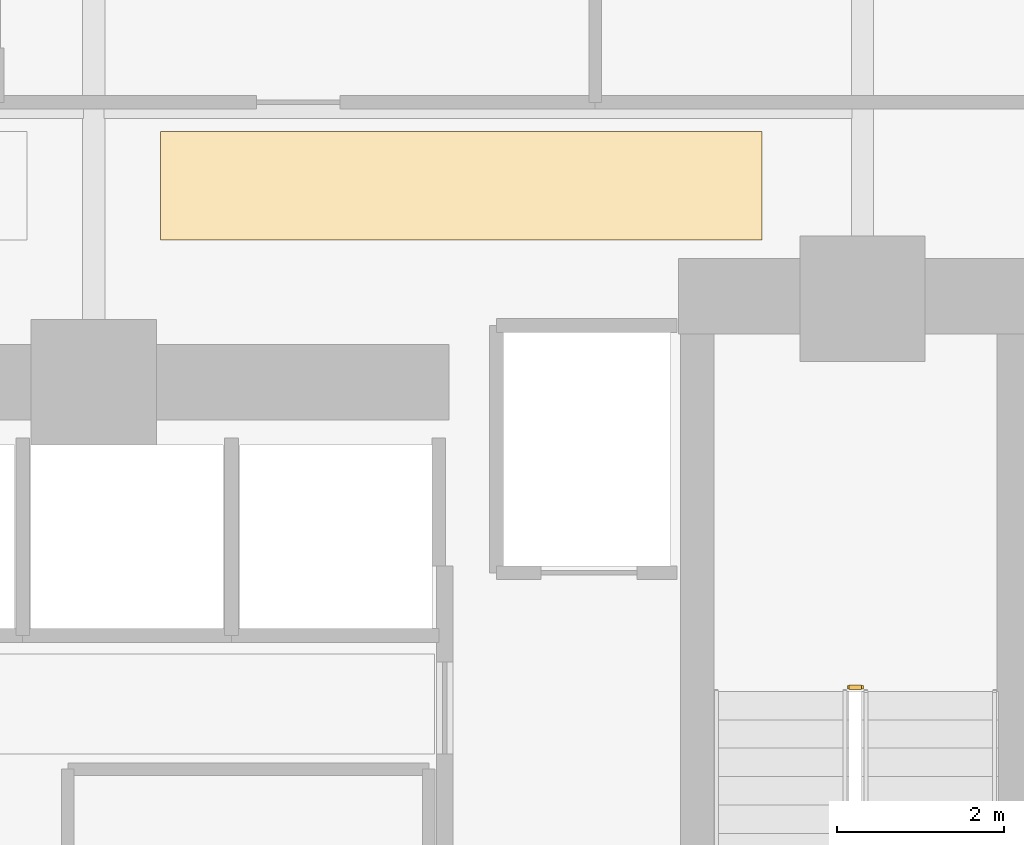
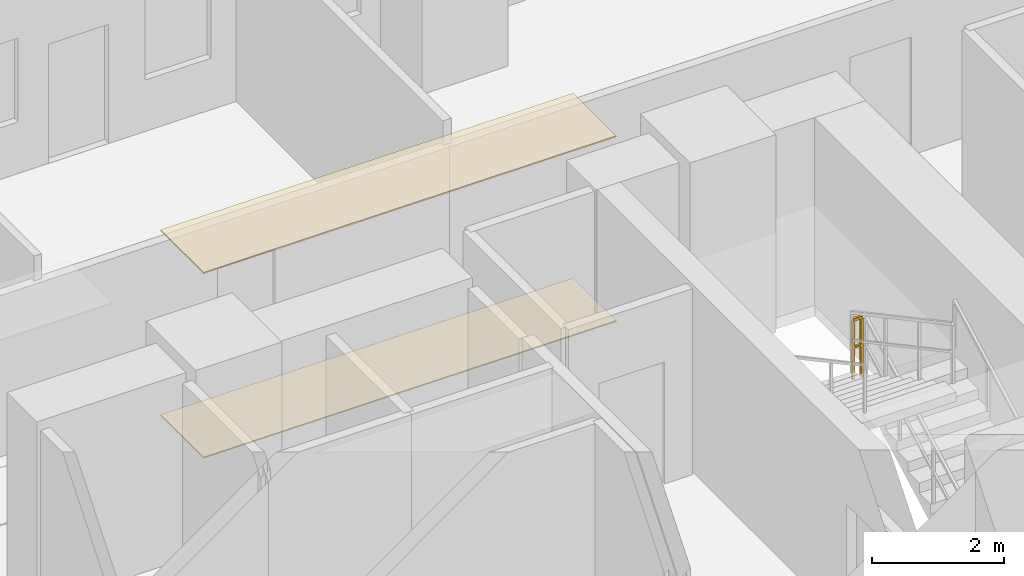
# One storey, part 28 of 29: 2 coverings, 1 railing.
"""IFC4 building model written with IfcOpenShell, lengths in metres."""

from ifc_helpers import new_model, si_unit, direction, frame, origin, origin_2d, place, context, subcontext, project, spatial, polyline, rectangle, outline, extrude, material, layer, layer_set, type_object, element, save


model = new_model("IFC4")

# Units and contexts
model_context = context("Model", 3, precision=1e-05, world=origin(), true_north=direction((0.0, 1.0)))
body_context = subcontext(model_context, "Body", "Model", "MODEL_VIEW")
ifc_project = project(units=[si_unit("LENGTHUNIT", "METRE"), si_unit("AREAUNIT", "SQUARE_METRE"), si_unit("VOLUMEUNIT", "CUBIC_METRE"), si_unit("PLANEANGLEUNIT", "RADIAN"), si_unit("MASSUNIT", "GRAM", prefix="KILO")], contexts=[model_context])

# Site, building, storey
site_placement = place(None, origin())
site = spatial("IfcSite", under=ifc_project, at=site_placement, CompositionType="ELEMENT")
building_placement = place(site_placement, origin())
building = spatial("IfcBuilding", under=site, at=building_placement, Name="Zuhayl Quay Hotel", CompositionType="ELEMENT")
storey_placement = place(building_placement, frame((0.0, 0.0, 42.199951171875)))
storey = spatial("IfcBuildingStorey", under=building, at=storey_placement, Name="L09", CompositionType="ELEMENT", Elevation=42.199951171875)

# Coverings
ifc_material_1 = material(Name="Acoustic Mineral-Fibre Gypsum Board")
ifc_layer_1 = layer(ifc_material_1, 0.02490234375, Name="Acoustic Mineral-Fibre Gypsum Board")
ifc_layer_set_1 = layer_set([ifc_layer_1], Name="Acoustic Mineral-Fibre Gypsum Board")
covering_type_1 = type_object("IfcCoveringType", Name="CV_CEIL_ACOUSTIC", PredefinedType="CEILING", material=ifc_layer_set_1)
covering_1_placement = place(storey_placement, frame((0.0, 0.0, 3.405029296875)))
element("IfcCovering", 1, at=covering_1_placement, inside=storey, type_object=covering_type_1, Name="L09 Guest Corridor Acoustic Ceiling CE", PredefinedType="CEILING", context=body_context, shape_type="SweptSolid", body=[
    extrude(outline(polyline([(5.39990234375, 15.050048828125), (12.60009765625, 15.050048828125), (12.60009765625, 16.35009765625), (5.39990234375, 16.35009765625), (5.39990234375, 15.050048828125)])), origin(), (0.0, 0.0, 1.0), 0.02490234375),
])
ifc_material_2 = material(Name="Polished Limestone Terrazzo", Category="masonry")
ifc_layer_2 = layer(ifc_material_2, 0.02001953125, Name="Polished Limestone Terrazzo", Category="masonry")
ifc_layer_set_2 = layer_set([ifc_layer_2], Name="Polished Limestone Terrazzo")
covering_type_2 = type_object("IfcCoveringType", Name="CV_FLOOR_TERRAZZO", PredefinedType="FLOORING", material=ifc_layer_set_2)
covering_2_placement = place(storey_placement, origin())
element("IfcCovering", 2, at=covering_2_placement, inside=storey, type_object=covering_type_2, Name="L09 Guest Corridor Terrazzo Runner CE", PredefinedType="FLOORING", context=body_context, shape_type="SweptSolid", body=[
    extrude(outline(polyline([(5.39990234375, 15.050048828125), (12.60009765625, 15.050048828125), (12.60009765625, 16.35009765625), (5.39990234375, 16.35009765625), (5.39990234375, 15.050048828125)])), origin(), (0.0, 0.0, 1.0), 0.02001953125),
])

# Railing
ifc_material_3 = material(Name="Steel ASTM A992 Grade 50", Category="steel")
railing_type = type_object("IfcRailingType", Name="RL_GUARD_1100", PredefinedType="GUARDRAIL", material=ifc_material_3)
railing_placement = place(storey_placement, frame((13.7900390625, 9.699951171875, 1.824951171875)))
element("IfcRailing", 3, at=railing_placement, inside=storey, type_object=railing_type, Name="L09 ST2 stair guard 2", PredefinedType="GUARDRAIL", context=body_context, shape_type="SweptSolid", body=[
    extrude(rectangle(XDim=0.048095703125, YDim=0.048095703125, at=origin_2d()), frame((0.0, 0.0, 1.09619140625), z_axis=(-1.0, 0.0, 0.0), x_axis=(0.0, -1.0, 0.0)), (0.0, 0.0, 1.0), 0.150146484375),
    extrude(rectangle(XDim=0.0361328125, YDim=0.0361328125, at=origin_2d()), frame((0.0, 0.0, 0.58251953125), z_axis=(-1.0, 0.0, 0.0), x_axis=(0.0, -1.0, 0.0)), (0.0, 0.0, 1.0), 0.150146484375),
    extrude(rectangle(XDim=0.0419921875, YDim=0.0419921875, at=origin_2d()), origin(), (0.0, 0.0, 1.0), 1.072021484375),
    extrude(rectangle(XDim=0.0419921875, YDim=0.0419921875, at=origin_2d()), frame((-0.150146484375, 0.0, 0.0)), (0.0, 0.0, 1.0), 1.072021484375),
])

save(model, "model.ifc")
